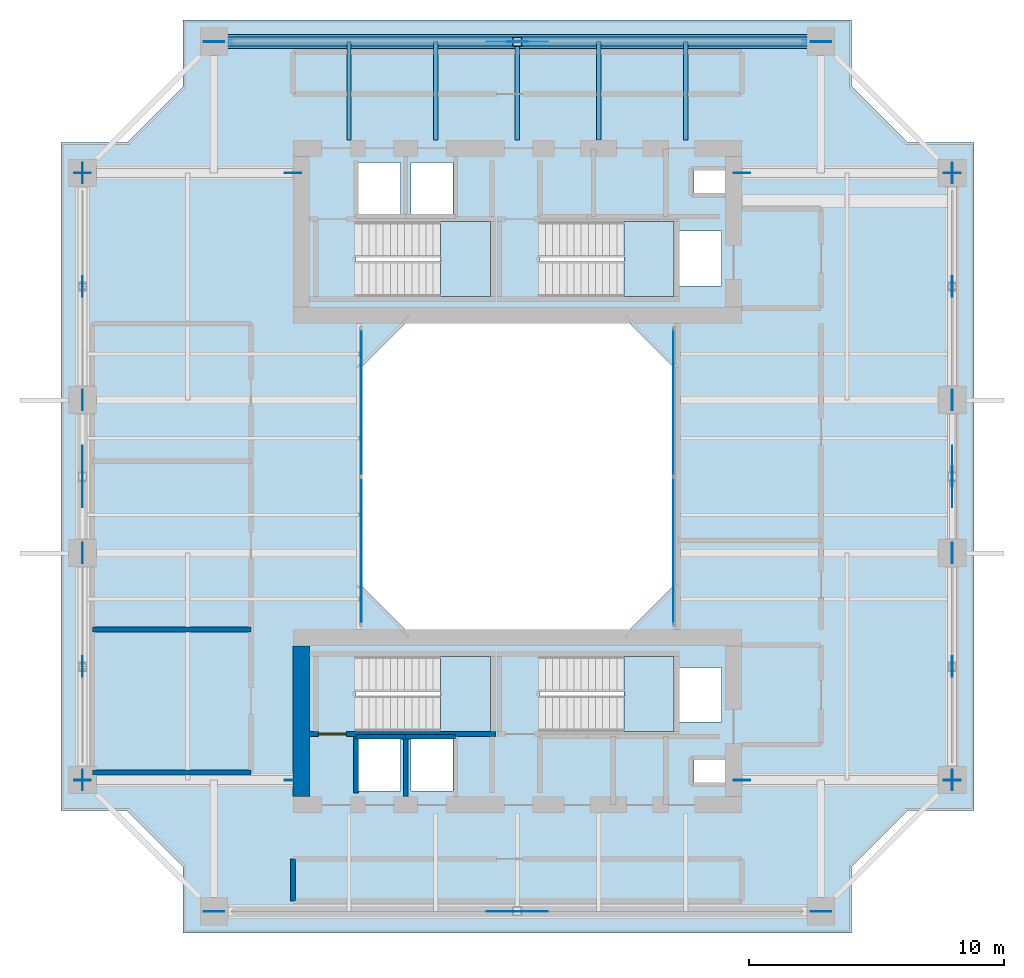
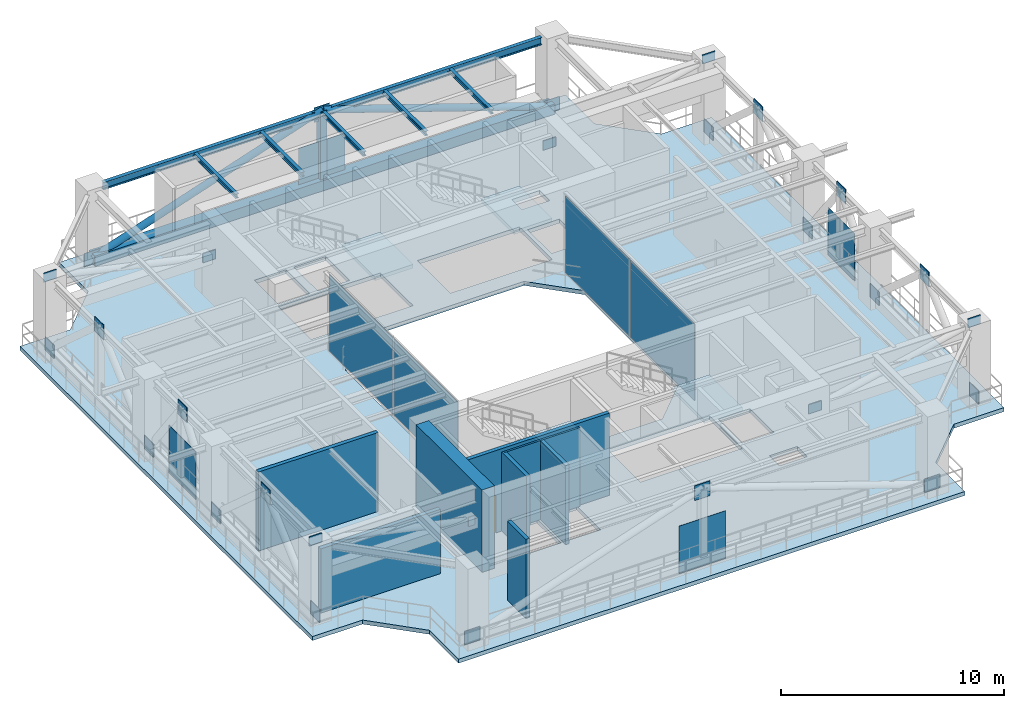
# One storey, part 5 of 11: 36 plates, 9 walls, 6 beams, 5 slabs, 4 members, 1 door, 1 opening, 6 elements without a shape of their own.
"""IFC4 building model written with IfcOpenShell, lengths in metres."""

from ifc_helpers import new_model, si_unit, direction, frame, frame_2d, origin, origin_2d, place, context, subcontext, project, spatial, polyline, rectangle, hollow_rectangle, hollow_circle, i_section, outline, extrude, source, transform, mapped, material, layer, layer_set, material_profile, profile_set, type_object, element, fill, aggregate, save


model = new_model("IFC4")

# Units and contexts
model_context = context("Model", 3, precision=1e-05, world=origin(), true_north=direction((0.0, 1.0)))
body_context = subcontext(model_context, "Body", "Model", "MODEL_VIEW")
ifc_project = project(units=[si_unit("LENGTHUNIT", "METRE"), si_unit("AREAUNIT", "SQUARE_METRE"), si_unit("VOLUMEUNIT", "CUBIC_METRE"), si_unit("PLANEANGLEUNIT", "RADIAN"), si_unit("MASSUNIT", "GRAM", prefix="KILO"), si_unit("THERMODYNAMICTEMPERATUREUNIT", "KELVIN"), si_unit("POWERUNIT", "WATT")], contexts=[model_context])

# Site, building, storey
site_placement = place(None, origin())
site = spatial("IfcSite", under=ifc_project, at=site_placement, CompositionType="ELEMENT")
building_placement = place(site_placement, origin())
building = spatial("IfcBuilding", under=site, at=building_placement, Name="Qiaomeng Ring Towers", CompositionType="ELEMENT")
storey_placement = place(building_placement, frame((0.0, 0.0, 139.25)))
storey = spatial("IfcBuildingStorey", under=building, at=storey_placement, Name="L40", CompositionType="ELEMENT", Elevation=139.25)

# Member
ifc_material_1 = material(Name="Steel Q390GJC", Category="steel")
ifc_material_profile_1 = material_profile(ifc_material_1, hollow_rectangle(XDim=0.35009765625, YDim=0.35009765625, WallThickness=0.02001953125, at=origin_2d()), Name="SHS 350x350x20")
ifc_profile_set_1 = profile_set([ifc_material_profile_1], Name="Steel Q390GJC")
member_type_1 = type_object("IfcMemberType", Name="STR-MB-POST-350", PredefinedType="POST", material=ifc_profile_set_1)
shared_shape_1 = source(origin(), body_context, "Body", "SweptSolid", [
    extrude(hollow_rectangle(XDim=0.35009765625, YDim=0.35009765625, WallThickness=0.02001953125, at=origin_2d()), origin(), (0.0, 0.0, 1.0), 4.0),
])
member_1_placement = place(storey_placement, frame((19.0, 40.050048828125, 0.320068359375), z_axis=(0.0, 0.0, 1.0), x_axis=(1.0, 0.0, 0.0)))
element("IfcMember", 1, at=member_1_placement, inside=storey, type_object=member_type_1, Name="L40 Belt Truss Post N2-N1", PredefinedType="POST", context=body_context, shape_type="MappedRepresentation", body=[
    mapped(shared_shape_1, transform((0.0, 0.0, 0.0), x_axis=(1.0, 0.0, 0.0), y_axis=(0.0, 1.0, 0.0), z_axis=(0.0, 0.0, 1.0), scale=1.0)),
])

# Beams
ifc_material_2 = material(Name="Steel Q355B", Category="steel")
ifc_material_profile_2 = material_profile(ifc_material_2, i_section(OverallWidth=0.199951171875, OverallDepth=0.39990234375, WebThickness=0.008056640625, FlangeThickness=0.012939453125, FilletRadius=0.01611328125, at=origin_2d()), Name="HN 400x200x8x13")
ifc_profile_set_2 = profile_set([ifc_material_profile_2], Name="Steel Q355B")
beam_type_1 = type_object("IfcBeamType", Name="STR-BM-HN400", PredefinedType="SPANDREL", material=ifc_profile_set_2)
shared_shape_2 = source(origin(), body_context, "Body", "SweptSolid", [
    extrude(i_section(OverallWidth=0.199951171875, OverallDepth=0.39990234375, WebThickness=0.008056640625, FlangeThickness=0.012939453125, FilletRadius=0.01611328125, at=origin_2d()), origin(), (0.0, 0.0, 1.0), 22.7021484375),
])
beam_placement = place(storey_placement, frame((30.35107421875, 40.050048828125, 4.1201171875), z_axis=(-1.0, 0.0, 0.0), x_axis=(0.0, -1.0, 0.0)))
element("IfcBeam", 2, at=beam_placement, inside=storey, type_object=beam_type_1, Name="L40 beam STR-SP-L40-T1-N2-N1", PredefinedType="SPANDREL", context=body_context, shape_type="MappedRepresentation", body=[
    mapped(shared_shape_2, transform((0.0, 0.0, 0.0), x_axis=(1.0, 0.0, 0.0), y_axis=(0.0, 1.0, 0.0), z_axis=(0.0, 0.0, 1.0), scale=1.0)),
])
ifc_material_profile_3 = material_profile(ifc_material_2, i_section(OverallWidth=0.175048828125, OverallDepth=0.243896484375, WebThickness=0.007080078125, FlangeThickness=0.010986328125, FilletRadius=0.01611328125, at=origin_2d()), Name="HM 244x175x7x11")
ifc_profile_set_3 = profile_set([ifc_material_profile_3], Name="Steel Q355B")
beam_type_2 = type_object("IfcBeamType", Name="STR-BM-HM244", PredefinedType="JOIST", material=ifc_profile_set_3)
shared_shape_3 = source(origin(), body_context, "Body", "SweptSolid", [
    extrude(i_section(OverallWidth=0.175048828125, OverallDepth=0.243896484375, WebThickness=0.007080078125, FlangeThickness=0.010986328125, FilletRadius=0.01611328125, at=origin_2d()), origin(), (0.0, 0.0, 1.0), 3.85009765625),
])
for number, where, z_axis, x_axis, name in (
    (3, (12.39990234375, 36.199951171875, 4.197998046875), (0.0, 1.0, 0.0), (-1.0, 0.0, 0.0), "L40 beam STR-JST-L40-T1N-1"),
    (4, (15.800048828125, 36.199951171875, 4.197998046875), (0.0, 1.0, 0.0), (-1.0, 0.0, 0.0), "L40 beam STR-JST-L40-T1N-2"),
    (5, (19.0, 36.199951171875, 4.197998046875), (0.0, 1.0, 0.0), (-1.0, 0.0, 0.0), "L40 beam STR-JST-L40-T1N-3"),
    (6, (22.199951171875, 36.199951171875, 4.197998046875), (0.0, 1.0, 0.0), (-1.0, 0.0, 0.0), "L40 beam STR-JST-L40-T1N-4"),
    (7, (25.60009765625, 36.199951171875, 4.197998046875), (0.0, 1.0, 0.0), (-1.0, 0.0, 0.0), "L40 beam STR-JST-L40-T1N-5"),
):
    element("IfcBeam", number, at=place(storey_placement, frame(where, z_axis=z_axis, x_axis=x_axis)), inside=storey, type_object=beam_type_2, Name=name, PredefinedType="JOIST", context=body_context, shape_type="MappedRepresentation", body=[
        mapped(shared_shape_3, transform((0.0, 0.0, 0.0), x_axis=(1.0, 0.0, 0.0), y_axis=(0.0, 1.0, 0.0), z_axis=(0.0, 0.0, 1.0), scale=1.0)),
    ])

# Members
ifc_material_profile_4 = material_profile(ifc_material_1, hollow_rectangle(XDim=0.550048828125, YDim=0.550048828125, WallThickness=0.031982421875, at=origin_2d()), Name="SHS 550x550x32")
ifc_profile_set_4 = profile_set([ifc_material_profile_4], Name="Steel Q390GJC")
member_type_2 = type_object("IfcMemberType", Name="STR-MB-CHORD-550", PredefinedType="CHORD", material=ifc_profile_set_4)
shared_shape_4 = source(origin(), body_context, "Body", "SweptSolid", [
    extrude(hollow_rectangle(XDim=0.550048828125, YDim=0.550048828125, WallThickness=0.031982421875, at=origin_2d()), origin(), (0.0, 0.0, 1.0), 23.7998046875),
])
member_2_placement = place(storey_placement, frame((30.89990234375, 40.050048828125, 0.320068359375), z_axis=(-1.0, 0.0, 0.0), x_axis=(0.0, -1.0, 0.0)))
element("IfcMember", 8, at=member_2_placement, inside=storey, type_object=member_type_2, Name="L40 Belt Truss Bottom Chord N2-N1", PredefinedType="CHORD", context=body_context, shape_type="MappedRepresentation", body=[
    mapped(shared_shape_4, transform((0.0, 0.0, 0.0), x_axis=(1.0, 0.0, 0.0), y_axis=(0.0, 1.0, 0.0), z_axis=(0.0, 0.0, 1.0), scale=1.0)),
])
ifc_material_profile_5 = material_profile(ifc_material_1, hollow_circle(Radius=0.177978515625, WallThickness=0.02001953125, at=origin_2d()), Name="CHS 356x20")
ifc_profile_set_5 = profile_set([ifc_material_profile_5], Name="Steel Q390GJC")
member_type_3 = type_object("IfcMemberType", Name="STR-MB-BR-356", PredefinedType="BRACE", material=ifc_profile_set_5)
shared_shape_5 = source(origin(), body_context, "Body", "SweptSolid", [
    extrude(hollow_circle(Radius=0.177978515625, WallThickness=0.02001953125, at=origin_2d()), origin(), (0.0, 0.0, 1.0), 12.5478515625),
])
for number, where, z_axis, x_axis, name in (
    (9, (30.89990234375, 40.050048828125, 0.320068359375), (-0.948363723431, 0.0, 0.317184879967), (0.0, -1.0, 0.0), "L40 Belt Truss Diagonal N2-M"),
    (10, (7.10009765625, 40.050048828125, 0.320068359375), (0.948363723431, 0.0, 0.317184879967), (0.0, 1.0, 0.0), "L40 Belt Truss Diagonal N1-M"),
):
    element("IfcMember", number, at=place(storey_placement, frame(where, z_axis=z_axis, x_axis=x_axis)), inside=storey, type_object=member_type_3, Name=name, PredefinedType="BRACE", context=body_context, shape_type="MappedRepresentation", body=[
        mapped(shared_shape_5, transform((0.0, 0.0, 0.0), x_axis=(1.0, 0.0, 0.0), y_axis=(0.0, 1.0, 0.0), z_axis=(0.0, 0.0, 1.0), scale=1.0)),
    ])

# Slab
ifc_material_3 = material(Name="Concrete C40", Category="concrete")
ifc_layer_1 = layer(ifc_material_3, 0.219970703125, Name="Concrete C40")
ifc_layer_set_1 = layer_set([ifc_layer_1], Name="Concrete C40")
slab_type_1 = type_object("IfcSlabType", Name="STR-SL-220", PredefinedType="FLOOR", material=ifc_layer_set_1)
slab_1_placement = place(storey_placement, frame((0.0, 0.0, -0.219970703125)))
element("IfcSlab", 11, at=slab_1_placement, inside=storey, type_object=slab_type_1, Name="L40 Tower 1 Annular Floor Slab", PredefinedType="FLOOR", context=body_context, shape_type="SweptSolid", body=[
    extrude(outline(polyline([(5.89990234375, 5.10009765625), (32.10009765625, 5.10009765625), (32.10009765625, 7.699951171875), (34.300048828125, 9.89990234375), (36.89990234375, 9.89990234375), (36.89990234375, 36.10009765625), (34.300048828125, 36.10009765625), (32.10009765625, 38.300048828125), (32.10009765625, 40.89990234375), (5.89990234375, 40.89990234375), (5.89990234375, 38.300048828125), (3.699951171875, 36.10009765625), (1.10009765625, 36.10009765625), (1.10009765625, 9.89990234375), (3.699951171875, 9.89990234375), (5.89990234375, 7.699951171875), (5.89990234375, 5.10009765625)]), holes=[polyline([(12.780029296875, 10.679931640625), (12.780029296875, 12.820068359375), (14.419921875, 12.820068359375), (14.419921875, 10.679931640625), (12.780029296875, 10.679931640625)]), polyline([(14.830078125, 12.820068359375), (16.469970703125, 12.820068359375), (16.469970703125, 10.679931640625), (14.830078125, 10.679931640625), (14.830078125, 12.820068359375)]), polyline([(12.679931640625, 15.949951171875), (17.949951171875, 15.949951171875), (17.949951171875, 13.010009765625), (12.679931640625, 13.010009765625), (12.679931640625, 15.949951171875)]), polyline([(23.199951171875, 29.199951171875), (25.199951171875, 27.199951171875), (25.199951171875, 18.800048828125), (23.199951171875, 16.800048828125), (14.800048828125, 16.800048828125), (12.800048828125, 18.800048828125), (12.800048828125, 27.199951171875), (14.800048828125, 29.199951171875), (23.199951171875, 29.199951171875)]), polyline([(12.679931640625, 32.989990234375), (17.949951171875, 32.989990234375), (17.949951171875, 30.050048828125), (12.679931640625, 30.050048828125), (12.679931640625, 32.989990234375)]), polyline([(12.780029296875, 35.320068359375), (14.419921875, 35.320068359375), (14.419921875, 33.179931640625), (12.780029296875, 33.179931640625), (12.780029296875, 35.320068359375)]), polyline([(14.830078125, 33.179931640625), (14.830078125, 35.320068359375), (16.469970703125, 35.320068359375), (16.469970703125, 33.179931640625), (14.830078125, 33.179931640625)]), polyline([(25.919921875, 11.89990234375), (27.360107421875, 11.89990234375), (27.360107421875, 11.0), (25.919921875, 11.0), (25.919921875, 11.89990234375)]), polyline([(25.360107421875, 15.52001953125), (27.0, 15.52001953125), (27.0, 13.3798828125), (25.360107421875, 13.3798828125), (25.360107421875, 15.52001953125)]), polyline([(19.8798828125, 15.949951171875), (25.14990234375, 15.949951171875), (25.14990234375, 13.010009765625), (19.8798828125, 13.010009765625), (19.8798828125, 15.949951171875)]), polyline([(19.8798828125, 32.989990234375), (25.14990234375, 32.989990234375), (25.14990234375, 30.050048828125), (19.8798828125, 30.050048828125), (19.8798828125, 32.989990234375)]), polyline([(25.360107421875, 32.6201171875), (27.0, 32.6201171875), (27.0, 30.47998046875), (25.360107421875, 30.47998046875), (25.360107421875, 32.6201171875)]), polyline([(25.919921875, 35.0), (27.360107421875, 35.0), (27.360107421875, 34.10009765625), (25.919921875, 34.10009765625), (25.919921875, 35.0)])]), origin(), (0.0, 0.0, 1.0), 0.219970703125),
])

# Stair, slab
ifc_material_4 = material(Name="Precast concrete C40", Category="concrete")
stair_type = type_object("IfcStairType", Name="ARC-ST-450", PredefinedType="HALF_TURN_STAIR", material=ifc_material_4)
stair_1_placement = place(storey_placement, origin())
stair_1 = element("IfcStair", 12, at=stair_1_placement, inside=storey, type_object=stair_type, Name="L40 Tower 1 North Stair 1", PredefinedType="HALF_TURN_STAIR")
ifc_layer_2 = layer(ifc_material_3, 0.199951171875, Name="Concrete C40")
ifc_layer_set_2 = layer_set([ifc_layer_2], Name="Concrete C40")
slab_type_2 = type_object("IfcSlabType", Name="STR-SL-LANDING", PredefinedType="LANDING", material=ifc_layer_set_2)
slab_2_placement = place(storey_placement, frame((0.0, 0.0, 2.050048828125)))
slab_2 = element("IfcSlab", 13, at=slab_2_placement, type_object=slab_type_2, Name="ST1 landing 1", PredefinedType="LANDING", context=body_context, shape_type="SweptSolid", body=[
    extrude(outline(polyline([(15.97998046875, 30.050048828125), (17.949951171875, 30.050048828125), (17.949951171875, 32.989990234375), (15.97998046875, 32.989990234375), (15.97998046875, 30.050048828125)])), origin(), (0.0, 0.0, 1.0), 0.199951171875),
])
aggregate(stair_1, [slab_2])

stair_2_placement = place(storey_placement, origin())
stair_2 = element("IfcStair", 14, at=stair_2_placement, inside=storey, type_object=stair_type, Name="L40 Tower 1 North Stair 2", PredefinedType="HALF_TURN_STAIR")
slab_3_placement = place(storey_placement, frame((0.0, 0.0, 2.050048828125)))
slab_3 = element("IfcSlab", 15, at=slab_3_placement, type_object=slab_type_2, Name="ST2 landing 1", PredefinedType="LANDING", context=body_context, shape_type="SweptSolid", body=[
    extrude(outline(polyline([(23.179931640625, 30.050048828125), (25.14990234375, 30.050048828125), (25.14990234375, 32.989990234375), (23.179931640625, 32.989990234375), (23.179931640625, 30.050048828125)])), origin(), (0.0, 0.0, 1.0), 0.199951171875),
])
aggregate(stair_2, [slab_3])

stair_3_placement = place(storey_placement, origin())
stair_3 = element("IfcStair", 16, at=stair_3_placement, inside=storey, type_object=stair_type, Name="L40 Tower 1 South Stair 3", PredefinedType="HALF_TURN_STAIR")
slab_4_placement = place(storey_placement, frame((0.0, 0.0, 2.050048828125)))
slab_4 = element("IfcSlab", 17, at=slab_4_placement, type_object=slab_type_2, Name="ST3 landing 1", PredefinedType="LANDING", context=body_context, shape_type="SweptSolid", body=[
    extrude(outline(polyline([(15.97998046875, 13.010009765625), (17.949951171875, 13.010009765625), (17.949951171875, 15.949951171875), (15.97998046875, 15.949951171875), (15.97998046875, 13.010009765625)])), origin(), (0.0, 0.0, 1.0), 0.199951171875),
])
aggregate(stair_3, [slab_4])

stair_4_placement = place(storey_placement, origin())
stair_4 = element("IfcStair", 18, at=stair_4_placement, inside=storey, type_object=stair_type, Name="L40 Tower 1 South Stair 4", PredefinedType="HALF_TURN_STAIR")
slab_5_placement = place(storey_placement, frame((0.0, 0.0, 2.050048828125)))
slab_5 = element("IfcSlab", 19, at=slab_5_placement, type_object=slab_type_2, Name="ST4 landing 1", PredefinedType="LANDING", context=body_context, shape_type="SweptSolid", body=[
    extrude(outline(polyline([(23.179931640625, 13.010009765625), (25.14990234375, 13.010009765625), (25.14990234375, 15.949951171875), (23.179931640625, 15.949951171875), (23.179931640625, 13.010009765625)])), origin(), (0.0, 0.0, 1.0), 0.199951171875),
])
aggregate(stair_4, [slab_5])

# Plates
ifc_layer_3 = layer(ifc_material_1, 0.031982421875, Name="Steel Q390GJC")
ifc_layer_set_3 = layer_set([ifc_layer_3], Name="Steel Q390GJC")
plate_type_1 = type_object("IfcPlateType", Name="STR-PL-GUSSET", PredefinedType="USERDEFINED", material=ifc_layer_set_3)
shared_shape_6 = source(origin(), body_context, "Body", "SweptSolid", [
    extrude(rectangle(XDim=0.800048828125, YDim=0.031982421875, at=origin_2d()), origin(), (0.0, 0.0, 1.0), 0.800048828125),
])
for number, where, z_axis, x_axis, name in (
    (20, (19.0, 5.949951171875, 3.72021484375), (0.0, 0.0, 1.0), (1.0, 0.0, 0.0), "L40 Belt Truss Node Gusset Plate 1-APX"),
    (21, (7.10009765625, 5.949951171875, -0.080078125), (0.0, 0.0, 1.0), (1.0, 0.0, 0.0), "L40 Belt Truss Node Gusset Plate 1-N1"),
    (22, (30.89990234375, 5.949951171875, -0.080078125), (0.0, 0.0, 1.0), (1.0, 0.0, 0.0), "L40 Belt Truss Node Gusset Plate 1-N2"),
    (23, (36.050048828125, 15.550048828125, 3.72021484375), (0.0, 0.0, 1.0), (0.0, 1.0, 0.0), "L40 Belt Truss Node Gusset Plate 2-APX"),
    (24, (36.050048828125, 11.10009765625, -0.080078125), (0.0, 0.0, 1.0), (0.0, 1.0, 0.0), "L40 Belt Truss Node Gusset Plate 2-N1"),
    (25, (36.050048828125, 20.0, -0.080078125), (0.0, 0.0, 1.0), (0.0, 1.0, 0.0), "L40 Belt Truss Node Gusset Plate 2-N2"),
    (26, (36.050048828125, 23.0, 3.72021484375), (0.0, 0.0, 1.0), (0.0, 1.0, 0.0), "L40 Belt Truss Node Gusset Plate 3-APX"),
    (27, (36.050048828125, 26.0, -0.080078125), (0.0, 0.0, 1.0), (0.0, 1.0, 0.0), "L40 Belt Truss Node Gusset Plate 3-N2"),
    (28, (36.050048828125, 30.449951171875, 3.72021484375), (0.0, 0.0, 1.0), (0.0, 1.0, 0.0), "L40 Belt Truss Node Gusset Plate 4-APX"),
    (29, (36.050048828125, 34.89990234375, -0.080078125), (0.0, 0.0, 1.0), (0.0, 1.0, 0.0), "L40 Belt Truss Node Gusset Plate 4-N2"),
    (30, (19.0, 40.050048828125, 3.72021484375), (0.0, 0.0, 1.0), (-1.0, 0.0, 0.0), "L40 Belt Truss Node Gusset Plate 5-APX"),
    (31, (30.89990234375, 40.050048828125, -0.080078125), (0.0, 0.0, 1.0), (-1.0, 0.0, 0.0), "L40 Belt Truss Node Gusset Plate 5-N1"),
    (32, (7.10009765625, 40.050048828125, -0.080078125), (0.0, 0.0, 1.0), (-1.0, 0.0, 0.0), "L40 Belt Truss Node Gusset Plate 5-N2"),
    (33, (1.949951171875, 30.449951171875, 3.72021484375), (0.0, 0.0, 1.0), (0.0, -1.0, 0.0), "L40 Belt Truss Node Gusset Plate 6-APX"),
    (34, (1.949951171875, 34.89990234375, -0.080078125), (0.0, 0.0, 1.0), (0.0, -1.0, 0.0), "L40 Belt Truss Node Gusset Plate 6-N1"),
    (35, (1.949951171875, 26.0, -0.080078125), (0.0, 0.0, 1.0), (0.0, -1.0, 0.0), "L40 Belt Truss Node Gusset Plate 6-N2"),
    (36, (1.949951171875, 23.0, 3.72021484375), (0.0, 0.0, 1.0), (0.0, -1.0, 0.0), "L40 Belt Truss Node Gusset Plate 7-APX"),
    (37, (1.949951171875, 20.0, -0.080078125), (0.0, 0.0, 1.0), (0.0, -1.0, 0.0), "L40 Belt Truss Node Gusset Plate 7-N2"),
    (38, (1.949951171875, 15.550048828125, 3.72021484375), (0.0, 0.0, 1.0), (0.0, -1.0, 0.0), "L40 Belt Truss Node Gusset Plate 8-APX"),
    (39, (1.949951171875, 11.10009765625, -0.080078125), (0.0, 0.0, 1.0), (0.0, -1.0, 0.0), "L40 Belt Truss Node Gusset Plate 8-N2"),
):
    element("IfcPlate", number, at=place(storey_placement, frame(where, z_axis=z_axis, x_axis=x_axis)), inside=storey, type_object=plate_type_1, Name=name, ObjectType="GUSSET PLATE", PredefinedType="USERDEFINED", context=body_context, shape_type="MappedRepresentation", body=[
        mapped(shared_shape_6, transform((0.0, 0.0, 0.0), x_axis=(1.0, 0.0, 0.0), y_axis=(0.0, 1.0, 0.0), z_axis=(0.0, 0.0, 1.0), scale=1.0)),
    ])
shared_shape_7 = source(origin(), body_context, "Body", "SweptSolid", [
    extrude(rectangle(XDim=0.64990234375, YDim=0.035888671875, at=origin_2d()), origin(), (0.0, 0.0, 1.0), 0.5),
])
for number, where, z_axis, x_axis, name in (
    (40, (10.199951171875, 34.89990234375, 2.22998046875), (0.0, 0.0, 1.0), (1.0, 0.0, 0.0), "L40 Outrigger Core Anchorage Gusset Plate W4"),
    (41, (1.949951171875, 34.89990234375, 4.050048828125), (0.0, 0.0, 1.0), (1.0, 0.0, 0.0), "L40 Outrigger Column Node Gusset Plate W4"),
    (42, (10.199951171875, 11.10009765625, 2.22998046875), (0.0, 0.0, 1.0), (1.0, 0.0, 0.0), "L40 Outrigger Core Anchorage Gusset Plate W1"),
    (43, (1.949951171875, 11.10009765625, 4.050048828125), (0.0, 0.0, 1.0), (1.0, 0.0, 0.0), "L40 Outrigger Column Node Gusset Plate W1"),
    (44, (27.800048828125, 34.89990234375, 2.22998046875), (0.0, 0.0, 1.0), (1.0, 0.0, 0.0), "L40 Outrigger Core Anchorage Gusset Plate E4"),
    (45, (36.050048828125, 34.89990234375, 4.050048828125), (0.0, 0.0, 1.0), (1.0, 0.0, 0.0), "L40 Outrigger Column Node Gusset Plate E4"),
    (46, (27.800048828125, 11.10009765625, 2.22998046875), (0.0, 0.0, 1.0), (1.0, 0.0, 0.0), "L40 Outrigger Core Anchorage Gusset Plate E1"),
    (47, (36.050048828125, 11.10009765625, 4.050048828125), (0.0, 0.0, 1.0), (1.0, 0.0, 0.0), "L40 Outrigger Column Node Gusset Plate E1"),
):
    element("IfcPlate", number, at=place(storey_placement, frame(where, z_axis=z_axis, x_axis=x_axis)), inside=storey, type_object=plate_type_1, Name=name, ObjectType="GUSSET PLATE", PredefinedType="USERDEFINED", context=body_context, shape_type="MappedRepresentation", body=[
        mapped(shared_shape_7, transform((0.0, 0.0, 0.0), x_axis=(1.0, 0.0, 0.0), y_axis=(0.0, 1.0, 0.0), z_axis=(0.0, 0.0, 1.0), scale=1.0)),
    ])

# Curtain wall, plates
ifc_material_5 = material(Name="Fluorocarbon dark-grey aluminium", Category="aluminium")
ifc_layer_4 = layer(ifc_material_5, 0.139892578125, Name="Fluorocarbon dark-grey aluminium")
ifc_layer_set_4 = layer_set([ifc_layer_4], Name="Fluorocarbon dark-grey aluminium")
curtain_wall_type = type_object("IfcCurtainWallType", Name="ARC-CW-4", PredefinedType="NOTDEFINED", material=ifc_layer_set_4)
curtain_wall_1_placement = place(storey_placement, origin())
curtain_wall_1 = element("IfcCurtainWall", 48, at=curtain_wall_1_placement, inside=storey, type_object=curtain_wall_type, Name="L40 Curtain Wall CW4", PredefinedType="NOTDEFINED")
ifc_material_6 = material(Name="Low-E dark-grey laminated double glazing", Category="glass")
ifc_layer_5 = layer(ifc_material_6, 0.028076171875, Name="Low-E dark-grey laminated double glazing")
ifc_layer_set_5 = layer_set([ifc_layer_5], Name="Low-E dark-grey laminated double glazing")
plate_type_2 = type_object("IfcPlateType", Name="ARC-CWP-DARK", PredefinedType="CURTAIN_PANEL", material=ifc_layer_set_5)
shared_shape_8 = source(origin(), body_context, "Body", "SweptSolid", [
    extrude(rectangle(XDim=5.75244140625, YDim=0.028076171875, at=origin_2d()), origin(), (0.0, 0.0, 1.0), 4.18994140625),
])
plate_1_placement = place(storey_placement, frame((12.8798828125, 20.09130859375, 0.06494140625), z_axis=(0.0, 0.0, 1.0), x_axis=(0.0, 1.0, 0.0)))
plate_1 = element("IfcPlate", 49, at=plate_1_placement, type_object=plate_type_2, Name="CW4 panel 1.1", PredefinedType="CURTAIN_PANEL", context=body_context, shape_type="MappedRepresentation", body=[
    mapped(shared_shape_8, transform((0.0, 0.0, 0.0), x_axis=(1.0, 0.0, 0.0), y_axis=(0.0, 1.0, 0.0), z_axis=(0.0, 0.0, 1.0), scale=1.0)),
])
plate_2_placement = place(storey_placement, frame((12.8798828125, 25.90869140625, 0.06494140625), z_axis=(0.0, 0.0, 1.0), x_axis=(0.0, 1.0, 0.0)))
plate_2 = element("IfcPlate", 50, at=plate_2_placement, type_object=plate_type_2, Name="CW4 panel 2.1", PredefinedType="CURTAIN_PANEL", context=body_context, shape_type="MappedRepresentation", body=[
    mapped(shared_shape_8, transform((0.0, 0.0, 0.0), x_axis=(1.0, 0.0, 0.0), y_axis=(0.0, 1.0, 0.0), z_axis=(0.0, 0.0, 1.0), scale=1.0)),
])
aggregate(curtain_wall_1, [plate_1, plate_2])

curtain_wall_2_placement = place(storey_placement, origin())
curtain_wall_2 = element("IfcCurtainWall", 51, at=curtain_wall_2_placement, inside=storey, type_object=curtain_wall_type, Name="L40 Curtain Wall CW4", PredefinedType="NOTDEFINED")
plate_3_placement = place(storey_placement, frame((25.1201171875, 20.09130859375, 0.06494140625), z_axis=(0.0, 0.0, 1.0), x_axis=(0.0, 1.0, 0.0)))
plate_3 = element("IfcPlate", 52, at=plate_3_placement, type_object=plate_type_2, Name="CW4 panel 1.1", PredefinedType="CURTAIN_PANEL", context=body_context, shape_type="MappedRepresentation", body=[
    mapped(shared_shape_8, transform((0.0, 0.0, 0.0), x_axis=(1.0, 0.0, 0.0), y_axis=(0.0, 1.0, 0.0), z_axis=(0.0, 0.0, 1.0), scale=1.0)),
])
plate_4_placement = place(storey_placement, frame((25.1201171875, 25.90869140625, 0.06494140625), z_axis=(0.0, 0.0, 1.0), x_axis=(0.0, 1.0, 0.0)))
plate_4 = element("IfcPlate", 53, at=plate_4_placement, type_object=plate_type_2, Name="CW4 panel 2.1", PredefinedType="CURTAIN_PANEL", context=body_context, shape_type="MappedRepresentation", body=[
    mapped(shared_shape_8, transform((0.0, 0.0, 0.0), x_axis=(1.0, 0.0, 0.0), y_axis=(0.0, 1.0, 0.0), z_axis=(0.0, 0.0, 1.0), scale=1.0)),
])
aggregate(curtain_wall_2, [plate_3, plate_4])

# Plates
ifc_material_7 = material(Name="Stainless steel 316", Category="steel")
ifc_layer_6 = layer(ifc_material_7, 0.011962890625, Name="Stainless steel 316")
ifc_layer_set_6 = layer_set([ifc_layer_6], Name="Stainless steel 316")
plate_type_3 = type_object("IfcPlateType", Name="ARC-PL-SCREEN", PredefinedType="SHEET", material=ifc_layer_set_6)
shared_shape_9 = source(origin(), body_context, "Body", "SweptSolid", [
    extrude(rectangle(XDim=2.39990234375, YDim=0.011962890625, at=origin_2d()), origin(), (0.0, 0.0, 1.0), 2.60009765625),
])
for number, where, z_axis, x_axis, name in (
    (54, (19.0, 5.949951171875, 0.0), (0.0, 0.0, 1.0), (1.0, 0.0, 0.0), "L40 Perforated Refuge Wind Screen S"),
    (55, (19.0, 40.050048828125, 0.0), (0.0, 0.0, 1.0), (-1.0, 0.0, 0.0), "L40 Perforated Refuge Wind Screen N"),
    (56, (1.949951171875, 23.0, 0.0), (0.0, 0.0, 1.0), (0.0, -1.0, 0.0), "L40 Perforated Refuge Wind Screen W"),
    (57, (36.050048828125, 23.0, 0.0), (0.0, 0.0, 1.0), (0.0, 1.0, 0.0), "L40 Perforated Refuge Wind Screen E"),
):
    element("IfcPlate", number, at=place(storey_placement, frame(where, z_axis=z_axis, x_axis=x_axis)), inside=storey, type_object=plate_type_3, Name=name, PredefinedType="SHEET", context=body_context, shape_type="MappedRepresentation", body=[
        mapped(shared_shape_9, transform((0.0, 0.0, 0.0), x_axis=(1.0, 0.0, 0.0), y_axis=(0.0, 1.0, 0.0), z_axis=(0.0, 0.0, 1.0), scale=1.0)),
    ])

# Walls
ifc_material_8 = material(Name="Autoclaved aerated concrete block", Category="concrete")
ifc_layer_7 = layer(ifc_material_8, 0.199951171875, Name="Autoclaved aerated concrete block")
ifc_layer_set_7 = layer_set([ifc_layer_7], Name="Autoclaved aerated concrete block")
wall_type_1 = type_object("IfcWallType", Name="ARC-WL-PW1", PredefinedType="PARTITIONING", material=ifc_layer_set_7)
wall_1_placement = place(storey_placement, frame((12.679931640625, 10.60009765625, 0.0), z_axis=(0.0, 0.0, 1.0), x_axis=(0.0, 1.0, 0.0)))
element("IfcWall", 58, at=wall_1_placement, inside=storey, type_object=wall_type_1, Name="L40 Interior Wall PW1", PredefinedType="PARTITIONING", context=body_context, shape_type="SweptSolid", body=[
    extrude(rectangle(XDim=2.2099609375, YDim=0.199951171875, at=frame_2d((1.10498046875, 0.0))), origin(), (0.0, 0.0, 1.0), 4.320068359375),
])
wall_2_placement = place(storey_placement, frame((2.35009765625, 11.39990234375, 0.0), z_axis=(0.0, 0.0, 1.0), x_axis=(1.0, 0.0, 0.0)))
element("IfcWall", 59, at=wall_2_placement, inside=storey, type_object=wall_type_1, Name="L40 Interior Wall PW1", PredefinedType="PARTITIONING", context=body_context, shape_type="SweptSolid", body=[
    extrude(rectangle(XDim=6.199951171875, YDim=0.199951171875, at=frame_2d((3.10009765625, 0.0))), origin(), (0.0, 0.0, 1.0), 3.514892578125),
])
wall_3_placement = place(storey_placement, frame((2.35009765625, 17.0, 0.0), z_axis=(0.0, 0.0, 1.0), x_axis=(1.0, 0.0, 0.0)))
element("IfcWall", 60, at=wall_3_placement, inside=storey, type_object=wall_type_1, Name="L40 Interior Wall PW1", PredefinedType="PARTITIONING", context=body_context, shape_type="SweptSolid", body=[
    extrude(rectangle(XDim=6.199951171875, YDim=0.199951171875, at=frame_2d((3.10009765625, 0.0))), origin(), (0.0, 0.0, 1.0), 4.320068359375),
])
wall_4_placement = place(storey_placement, frame((10.199951171875, 6.35009765625, 0.0), z_axis=(0.0, 0.0, 1.0), x_axis=(0.0, 1.0, 0.0)))
element("IfcWall", 61, at=wall_4_placement, inside=storey, type_object=wall_type_1, Name="L40 Interior Wall PW1", PredefinedType="PARTITIONING", context=body_context, shape_type="SweptSolid", body=[
    extrude(rectangle(XDim=1.64990234375, YDim=0.199951171875, at=frame_2d((0.824951171875, 0.0))), origin(), (0.0, 0.0, 1.0), 4.320068359375),
])
ifc_layer_8 = layer(ifc_material_3, 0.199951171875, Name="Concrete C40")
ifc_layer_set_8 = layer_set([ifc_layer_8], Name="Concrete C40")
wall_type_2 = type_object("IfcWallType", Name="STR-WL-STSHAFT", PredefinedType="SHEAR", material=ifc_layer_set_8)
wall_5_placement = place(storey_placement, frame((12.679931640625, 12.800048828125, 0.0), z_axis=(0.0, 0.0, 1.0), x_axis=(1.0, 0.0, 0.0)))
element("IfcWall", 62, at=wall_5_placement, inside=storey, type_object=wall_type_2, Name="L40 Lift LP6 Shaft Back Wall", PredefinedType="SHEAR", context=body_context, shape_type="SweptSolid", body=[
    extrude(rectangle(XDim=1.940185546875, YDim=0.179931640625, at=frame_2d((0.97021484375, 0.0))), origin(), (0.0, 0.0, 1.0), 4.320068359375),
])
wall_6_placement = place(storey_placement, frame((14.6201171875, 10.449951171875, 0.0), z_axis=(0.0, 0.0, 1.0), x_axis=(0.0, 1.0, 0.0)))
element("IfcWall", 63, at=wall_6_placement, inside=storey, type_object=wall_type_2, Name="L40 Lift LP6-LP4 Shaft Divider Wall", PredefinedType="SHEAR", context=body_context, shape_type="SweptSolid", body=[
    extrude(rectangle(XDim=2.35009765625, YDim=0.179931640625, at=frame_2d((1.175048828125, 0.0))), origin(), (0.0, 0.0, 1.0), 4.320068359375),
])
wall_7_placement = place(storey_placement, frame((14.6201171875, 12.800048828125, 0.0), z_axis=(0.0, 0.0, 1.0), x_axis=(1.0, 0.0, 0.0)))
element("IfcWall", 64, at=wall_7_placement, inside=storey, type_object=wall_type_2, Name="L40 Lift LP4 Shaft Back Wall", PredefinedType="SHEAR", context=body_context, shape_type="SweptSolid", body=[
    extrude(rectangle(XDim=1.9599609375, YDim=0.179931640625, at=frame_2d((0.97998046875, 0.0))), origin(), (0.0, 0.0, 1.0), 4.320068359375),
])

# Wall, opening, door
wall_8_placement = place(storey_placement, frame((10.85009765625, 12.909912109375, 0.0), z_axis=(0.0, 0.0, 1.0), x_axis=(1.0, 0.0, 0.0)))
wall_8 = element("IfcWall", 65, at=wall_8_placement, inside=storey, type_object=wall_type_2, Name="L40 Stair ST3 South Shaft Shear Wall", PredefinedType="SHEAR", context=body_context, shape_type="SweptSolid", body=[
    extrude(rectangle(XDim=7.2998046875, YDim=0.199951171875, at=frame_2d((3.64990234375, 0.0))), origin(), (0.0, 0.0, 1.0), 4.5),
])
opening_placement = place(wall_8_placement, frame((0.35009765625, 0.0, 0.0)))
opening = element("IfcOpeningElement", 66, at=opening_placement, cuts=wall_8, Name="Opening FD3", PredefinedType="OPENING", context=body_context, shape_type="SweptSolid", body=[
    extrude(rectangle(XDim=1.10009765625, YDim=2.050048828125, at=frame_2d((0.550048828125, 1.02490234375))), frame((0.0, 0.10986328125, 0.0), z_axis=(0.0, -1.0, 0.0), x_axis=(1.0, 0.0, 0.0)), (0.0, 0.0, 1.0), 0.219970703125),
])
ifc_material_9 = material(Name="Galvanised steel", Category="steel")
door_type = type_object("IfcDoorType", Name="ARC-DR-FD3", OperationType="NOTDEFINED", PredefinedType="DOOR", material=ifc_material_9)
shared_shape_10 = source(origin(), body_context, "Body", "SweptSolid", [
    extrude(rectangle(XDim=1.10009765625, YDim=2.050048828125, at=frame_2d((0.550048828125, 1.02490234375))), frame((0.0, 0.02490234375, 0.0), z_axis=(0.0, -1.0, 0.0), x_axis=(1.0, 0.0, 0.0)), (0.0, 0.0, 1.0), 0.050048828125),
])
door_placement = place(opening_placement, frame((1.10009765625, 0.0, 0.0), z_axis=(0.0, 0.0, 1.0), x_axis=(-1.0, 0.0, 0.0)))
door = element("IfcDoor", 67, at=door_placement, inside=storey, type_object=door_type, Name="L40 Stair ST3 Exit Door", OperationType="SINGLE_SWING_LEFT", OverallHeight=2.050048828125, OverallWidth=1.10009765625, PredefinedType="DOOR", context=body_context, shape_type="MappedRepresentation", body=[
    mapped(shared_shape_10, transform((0.0, 0.0, 0.0), x_axis=(1.0, 0.0, 0.0), y_axis=(0.0, 1.0, 0.0), z_axis=(0.0, 0.0, 1.0), scale=1.0)),
])
fill(opening, door)

# Wall
ifc_material_10 = material(Name="Concrete C55", Category="concrete")
ifc_layer_9 = layer(ifc_material_10, 0.64990234375, Name="Concrete C55")
ifc_layer_set_9 = layer_set([ifc_layer_9], Name="Concrete C55")
wall_type_3 = type_object("IfcWallType", Name="STR-WL-SW2A", PredefinedType="SHEAR", material=ifc_layer_set_9)
wall_9_placement = place(storey_placement, frame((10.52490234375, 10.449951171875, 0.0), z_axis=(0.0, 0.0, 1.0), x_axis=(0.0, 1.0, 0.0)))
element("IfcWall", 68, at=wall_9_placement, inside=storey, type_object=wall_type_3, Name="L40 T1SC west core shear wall", PredefinedType="SHEAR", context=body_context, shape_type="SweptSolid", body=[
    extrude(rectangle(XDim=5.900146484375, YDim=0.64990234375, at=frame_2d((2.9501953125, 0.0))), origin(), (0.0, 0.0, 1.0), 4.5),
])

save(model, "model.ifc")
